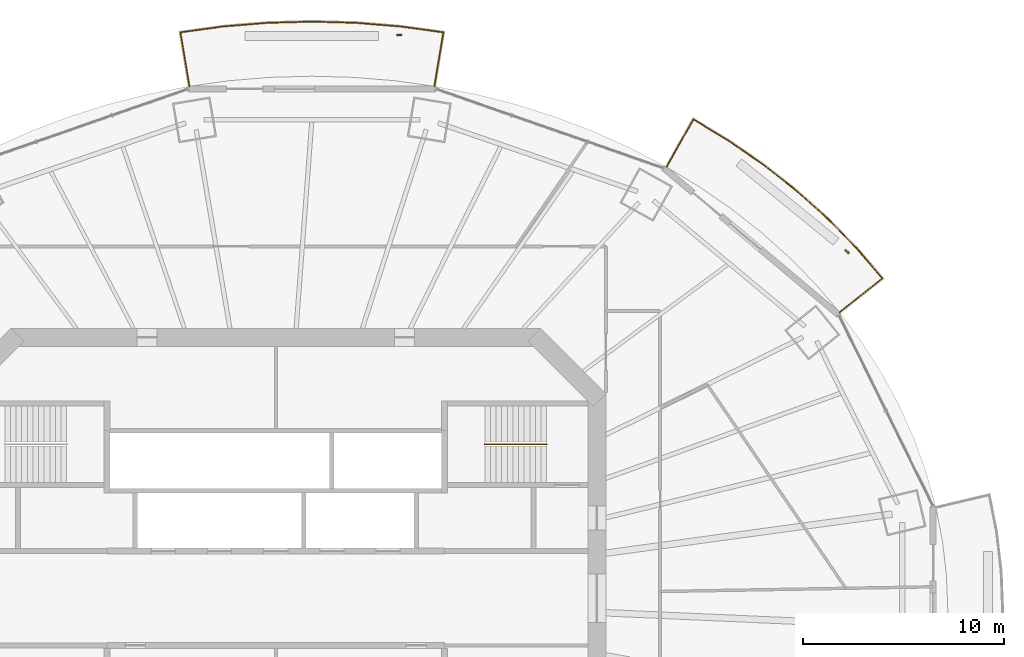
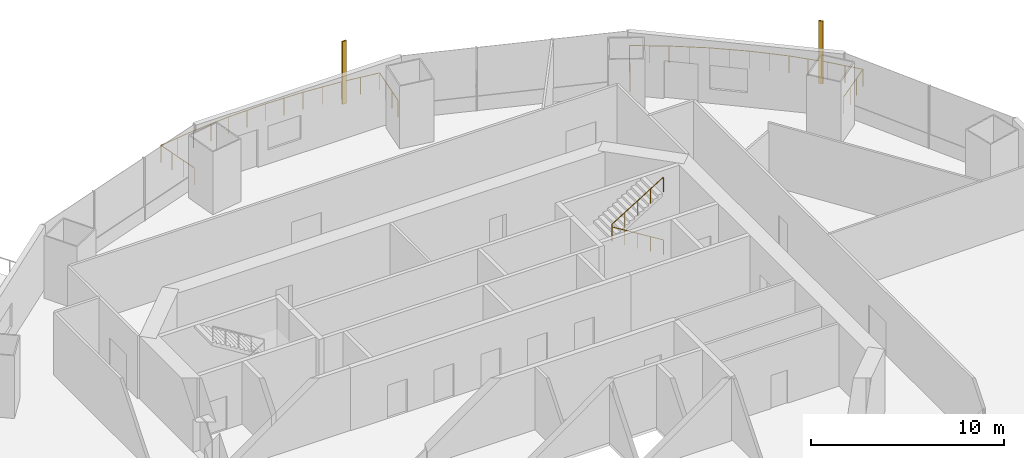
# One storey, part 19 of 21: 3 railings, 2 shading devices.
"""IFC4 building model written with IfcOpenShell, lengths in metres."""

from ifc_helpers import new_model, si_unit, direction, frame, origin, origin_2d, place, context, subcontext, project, spatial, rectangle, circle, extrude, material, material_profile, profile_set, type_object, element, save


model = new_model("IFC4")

# Units and contexts
model_context = context("Model", 3, precision=1e-05, world=origin(), true_north=direction((0.0, 1.0)))
body_context = subcontext(model_context, "Body", "Model", "MODEL_VIEW")
ifc_project = project(units=[si_unit("LENGTHUNIT", "METRE"), si_unit("AREAUNIT", "SQUARE_METRE"), si_unit("VOLUMEUNIT", "CUBIC_METRE"), si_unit("PLANEANGLEUNIT", "RADIAN"), si_unit("MASSUNIT", "GRAM", prefix="KILO")], contexts=[model_context])

# Site, building, storey
site_placement = place(None, origin())
site = spatial("IfcSite", under=ifc_project, at=site_placement, CompositionType="ELEMENT")
building_placement = place(site_placement, origin())
building = spatial("IfcBuilding", under=site, at=building_placement, Name="Marenthal Gate Tower", CompositionType="ELEMENT")
storey_placement = place(building_placement, frame((0.0, 0.0, 206.699951171875)))
storey = spatial("IfcBuildingStorey", under=building, at=storey_placement, Name="L45", CompositionType="ELEMENT", Elevation=206.699951171875)

# Railings
ifc_material_1 = material(Name="Stainless steel", Category="steel")
railing_type_1 = type_object("IfcRailingType", Name="Balcony guard 1100", PredefinedType="GUARDRAIL", material=ifc_material_1)
railing_1_placement = place(storey_placement, frame((19.476806640625, 21.490478515625, 0.0)))
element("IfcRailing", 1, at=railing_1_placement, inside=storey, type_object=railing_type_1, Name="Balcony guard L45 bay 2", PredefinedType="GUARDRAIL", context=body_context, shape_type="SweptSolid", body=[
    extrude(circle(Radius=0.02392578125, at=origin_2d()), frame((0.0, 0.0, 1.076171875), z_axis=(0.489654113359, 0.871792532473, -0.014718342117), x_axis=(-0.871886975849, 0.489707158764, 0.0)), (0.0, 0.0, 1.0), 2.720458984375),
    extrude(circle(Radius=0.02392578125, at=origin_2d()), frame((1.33203125, 2.37158203125, 1.0361328125), z_axis=(0.856189474473, -0.516661962797, 0.0), x_axis=(0.516661962797, 0.856189474473, 0.0)), (0.0, 0.0, 1.0), 2.0537109375),
    extrude(circle(Radius=0.02392578125, at=origin_2d()), frame((3.09033203125, 1.310546875, 1.0361328125), z_axis=(0.823307575665, -0.56759548611, 0.0), x_axis=(0.56759548611, 0.823307575665, 0.0)), (0.0, 0.0, 1.0), 2.11669921875),
    extrude(circle(Radius=0.02392578125, at=origin_2d()), frame((4.8330078125, 0.109130859375, 1.0361328125), z_axis=(0.785971142181, -0.618263183166, 0.0), x_axis=(0.618263183166, 0.785971142181, 0.0)), (0.0, 0.0, 1.0), 2.09912109375),
    extrude(circle(Radius=0.02392578125, at=origin_2d()), frame((6.48291015625, -1.188720703125, 1.0361328125), z_axis=(0.744529235913, -0.667589856776, 0.0), x_axis=(0.667589856776, 0.744529235913, 0.0)), (0.0, 0.0, 1.0), 2.08154296875),
    extrude(circle(Radius=0.02392578125, at=origin_2d()), frame((8.03271484375, -2.578369140625, 1.0361328125), z_axis=(0.698897192243, -0.715222143585, 0.0), x_axis=(0.715222143585, 0.698897192243, 0.0)), (0.0, 0.0, 1.0), 2.063720703125),
    extrude(circle(Radius=0.02392578125, at=origin_2d()), frame((9.47509765625, -4.054443359375, 1.0361328125), z_axis=(0.650106163754, -0.759843389028, 0.0), x_axis=(0.759843389028, 0.650106163754, 0.0)), (0.0, 0.0, 1.0), 1.966796875),
    extrude(circle(Radius=0.02392578125, at=origin_2d()), frame((10.753662109375, -5.548828125, 1.0361328125), z_axis=(-0.782732861269, -0.622183779773, 0.01471774699), x_axis=(0.622251176983, -0.782817649739, 0.0)), (0.0, 0.0, 1.0), 2.720458984375),
    extrude(circle(Radius=0.02099609375, at=origin_2d()), origin(), (0.0, 0.0, 1.0), 1.052001953125),
    extrude(circle(Radius=0.02099609375, at=origin_2d()), frame((0.444091796875, 0.79052734375, -0.013427734375)), (0.0, 0.0, 1.0), 1.052001953125),
    extrude(circle(Radius=0.02099609375, at=origin_2d()), frame((0.887939453125, 1.5810546875, -0.026611328125)), (0.0, 0.0, 1.0), 1.052001953125),
    extrude(circle(Radius=0.02099609375, at=origin_2d()), frame((1.33203125, 2.37158203125, -0.0400390625)), (0.0, 0.0, 1.0), 1.052001953125),
    extrude(circle(Radius=0.02099609375, at=origin_2d()), frame((2.211181640625, 1.841064453125, -0.0400390625)), (0.0, 0.0, 1.0), 1.052001953125),
    extrude(circle(Radius=0.02099609375, at=origin_2d()), frame((3.09033203125, 1.310546875, -0.0400390625)), (0.0, 0.0, 1.0), 1.052001953125),
    extrude(circle(Radius=0.02099609375, at=origin_2d()), frame((3.961669921875, 0.7099609375, -0.0400390625)), (0.0, 0.0, 1.0), 1.052001953125),
    extrude(circle(Radius=0.02099609375, at=origin_2d()), frame((4.8330078125, 0.109130859375, -0.0400390625)), (0.0, 0.0, 1.0), 1.052001953125),
    extrude(circle(Radius=0.02099609375, at=origin_2d()), frame((5.657958984375, -0.539794921875, -0.0400390625)), (0.0, 0.0, 1.0), 1.052001953125),
    extrude(circle(Radius=0.02099609375, at=origin_2d()), frame((6.48291015625, -1.188720703125, -0.0400390625)), (0.0, 0.0, 1.0), 1.052001953125),
    extrude(circle(Radius=0.02099609375, at=origin_2d()), frame((7.2578125, -1.883544921875, -0.0400390625)), (0.0, 0.0, 1.0), 1.052001953125),
    extrude(circle(Radius=0.02099609375, at=origin_2d()), frame((8.03271484375, -2.578369140625, -0.0400390625)), (0.0, 0.0, 1.0), 1.052001953125),
    extrude(circle(Radius=0.02099609375, at=origin_2d()), frame((8.75390625, -3.31640625, -0.0400390625)), (0.0, 0.0, 1.0), 1.052001953125),
    extrude(circle(Radius=0.02099609375, at=origin_2d()), frame((9.47509765625, -4.054443359375, -0.0400390625)), (0.0, 0.0, 1.0), 1.052001953125),
    extrude(circle(Radius=0.02099609375, at=origin_2d()), frame((10.1142578125, -4.8017578125, -0.0400390625)), (0.0, 0.0, 1.0), 1.052001953125),
    extrude(circle(Radius=0.02099609375, at=origin_2d()), frame((10.753662109375, -5.548828125, -0.0400390625)), (0.0, 0.0, 1.0), 1.052001953125),
    extrude(circle(Radius=0.02099609375, at=origin_2d()), frame((10.0439453125, -6.113037109375, -0.026611328125)), (0.0, 0.0, 1.0), 1.052001953125),
    extrude(circle(Radius=0.02099609375, at=origin_2d()), frame((9.333984375, -6.67724609375, -0.013427734375)), (0.0, 0.0, 1.0), 1.052001953125),
    extrude(circle(Radius=0.02099609375, at=origin_2d()), frame((8.624267578125, -7.241455078125, 0.0)), (0.0, 0.0, 1.0), 1.052001953125),
])
railing_2_placement = place(storey_placement, frame((-4.303955078125, 25.516845703125, 0.0)))
element("IfcRailing", 2, at=railing_2_placement, inside=storey, type_object=railing_type_1, Name="Balcony guard L45 bay 4", PredefinedType="GUARDRAIL", context=body_context, shape_type="SweptSolid", body=[
    extrude(circle(Radius=0.02392578125, at=origin_2d()), frame((0.0, 0.0, 1.076171875), z_axis=(-0.164876009703, 0.98620446087, -0.014719469565), x_axis=(-0.986311315136, -0.164893873854, 0.0)), (0.0, 0.0, 1.0), 2.72021484375),
    extrude(circle(Radius=0.02392578125, at=origin_2d()), frame((-0.448486328125, 2.6826171875, 1.0361328125), z_axis=(0.990665342735, 0.136316465269, 0.0), x_axis=(-0.136316465269, 0.990665342735, 0.0)), (0.0, 0.0, 1.0), 2.13671875),
    extrude(circle(Radius=0.02392578125, at=origin_2d()), frame((1.668212890625, 2.973876953125, 1.0361328125), z_axis=(0.996595612973, 0.082445037473, 0.0), x_axis=(-0.082445037473, 0.996595612973, 0.0)), (0.0, 0.0, 1.0), 2.220947265625),
    extrude(circle(Radius=0.02392578125, at=origin_2d()), frame((3.881591796875, 3.156982421875, 1.0361328125), z_axis=(0.999620072433, 0.027562851607, 0.0), x_axis=(-0.027562851607, 0.999620072433, 0.0)), (0.0, 0.0, 1.0), 2.22314453125),
    extrude(circle(Radius=0.02392578125, at=origin_2d()), frame((6.10400390625, 3.21826171875, 1.0361328125), z_axis=(0.999620072433, -0.027562851607, 0.0), x_axis=(0.027562851607, 0.999620072433, 0.0)), (0.0, 0.0, 1.0), 2.22314453125),
    extrude(circle(Radius=0.02392578125, at=origin_2d()), frame((8.326416015625, 3.156982421875, 1.0361328125), z_axis=(0.996595612973, -0.082445037473, 0.0), x_axis=(0.082445037473, 0.996595612973, 0.0)), (0.0, 0.0, 1.0), 2.220947265625),
    extrude(circle(Radius=0.02392578125, at=origin_2d()), frame((10.539794921875, 2.973876953125, 1.0361328125), z_axis=(0.990663219108, -0.136331897612, 0.0), x_axis=(0.136331897612, 0.990663219108, 0.0)), (0.0, 0.0, 1.0), 2.136474609375),
    extrude(circle(Radius=0.02392578125, at=origin_2d()), frame((12.65625, 2.6826171875, 1.0361328125), z_axis=(-0.164876009703, -0.98620446087, 0.014719469565), x_axis=(0.986311315136, -0.164893873854, 0.0)), (0.0, 0.0, 1.0), 2.72021484375),
    extrude(circle(Radius=0.02099609375, at=origin_2d()), origin(), (0.0, 0.0, 1.0), 1.052001953125),
    extrude(circle(Radius=0.02099609375, at=origin_2d()), frame((-0.1494140625, 0.894287109375, -0.013427734375)), (0.0, 0.0, 1.0), 1.052001953125),
    extrude(circle(Radius=0.02099609375, at=origin_2d()), frame((-0.299072265625, 1.788330078125, -0.026611328125)), (0.0, 0.0, 1.0), 1.052001953125),
    extrude(circle(Radius=0.02099609375, at=origin_2d()), frame((-0.448486328125, 2.6826171875, -0.0400390625)), (0.0, 0.0, 1.0), 1.052001953125),
    extrude(circle(Radius=0.02099609375, at=origin_2d()), frame((0.60986328125, 2.828125, -0.0400390625)), (0.0, 0.0, 1.0), 1.052001953125),
    extrude(circle(Radius=0.02099609375, at=origin_2d()), frame((1.668212890625, 2.973876953125, -0.0400390625)), (0.0, 0.0, 1.0), 1.052001953125),
    extrude(circle(Radius=0.02099609375, at=origin_2d()), frame((2.77490234375, 3.0654296875, -0.0400390625)), (0.0, 0.0, 1.0), 1.052001953125),
    extrude(circle(Radius=0.02099609375, at=origin_2d()), frame((3.881591796875, 3.156982421875, -0.0400390625)), (0.0, 0.0, 1.0), 1.052001953125),
    extrude(circle(Radius=0.02099609375, at=origin_2d()), frame((4.99267578125, 3.1875, -0.0400390625)), (0.0, 0.0, 1.0), 1.052001953125),
    extrude(circle(Radius=0.02099609375, at=origin_2d()), frame((6.10400390625, 3.21826171875, -0.0400390625)), (0.0, 0.0, 1.0), 1.052001953125),
    extrude(circle(Radius=0.02099609375, at=origin_2d()), frame((7.21533203125, 3.1875, -0.0400390625)), (0.0, 0.0, 1.0), 1.052001953125),
    extrude(circle(Radius=0.02099609375, at=origin_2d()), frame((8.326416015625, 3.156982421875, -0.0400390625)), (0.0, 0.0, 1.0), 1.052001953125),
    extrude(circle(Radius=0.02099609375, at=origin_2d()), frame((9.43310546875, 3.0654296875, -0.0400390625)), (0.0, 0.0, 1.0), 1.052001953125),
    extrude(circle(Radius=0.02099609375, at=origin_2d()), frame((10.539794921875, 2.973876953125, -0.0400390625)), (0.0, 0.0, 1.0), 1.052001953125),
    extrude(circle(Radius=0.02099609375, at=origin_2d()), frame((11.59814453125, 2.828125, -0.0400390625)), (0.0, 0.0, 1.0), 1.052001953125),
    extrude(circle(Radius=0.02099609375, at=origin_2d()), frame((12.65625, 2.6826171875, -0.0400390625)), (0.0, 0.0, 1.0), 1.052001953125),
    extrude(circle(Radius=0.02099609375, at=origin_2d()), frame((12.5068359375, 1.788330078125, -0.026611328125)), (0.0, 0.0, 1.0), 1.052001953125),
    extrude(circle(Radius=0.02099609375, at=origin_2d()), frame((12.357177734375, 0.894287109375, -0.013427734375)), (0.0, 0.0, 1.0), 1.052001953125),
    extrude(circle(Radius=0.02099609375, at=origin_2d()), frame((12.207763671875, 0.0, 0.0)), (0.0, 0.0, 1.0), 1.052001953125),
])
ifc_material_2 = material(Name="Stainless steel", Category="steel")
railing_type_2 = type_object("IfcRailingType", Name="Stair handrail", PredefinedType="HANDRAIL", material=ifc_material_2)
railing_3_placement = place(storey_placement, frame((13.5, 7.675048828125, 0.1728515625)))
element("IfcRailing", 3, at=railing_3_placement, inside=storey, type_object=railing_type_2, Name="Handrail ST3", PredefinedType="HANDRAIL", context=body_context, shape_type="SweptSolid", body=[
    extrude(circle(Radius=0.0224609375, at=origin_2d()), frame((0.0, 0.0, 0.927490234375), z_axis=(-0.850835241893, 0.0, 0.525432575268), x_axis=(0.0, -1.0, 0.0)), (0.0, 0.0, 1.0), 3.6201171875),
    extrude(circle(Radius=0.0224609375, at=origin_2d()), frame((-3.080078125, 0.0, 2.82958984375), z_axis=(0.0, 0.0, 1.0), x_axis=(1.0, 0.0, 0.0)), (0.0, 0.0, 1.0), 0.173095703125),
    extrude(circle(Radius=0.0224609375, at=origin_2d()), frame((-3.080078125, 0.0, 3.002685546875), z_axis=(0.850835241893, 0.0, 0.525432575268), x_axis=(0.0, 1.0, 0.0)), (0.0, 0.0, 1.0), 3.6201171875),
    extrude(circle(Radius=0.02001953125, at=origin_2d()), origin(), (0.0, 0.0, 1.0), 0.905029296875),
    extrude(circle(Radius=0.02001953125, at=origin_2d()), frame((-0.77001953125, 0.0, 0.4755859375)), (0.0, 0.0, 1.0), 0.905029296875),
    extrude(circle(Radius=0.02001953125, at=origin_2d()), frame((-1.5400390625, 0.0, 0.951171875)), (0.0, 0.0, 1.0), 0.905029296875),
    extrude(circle(Radius=0.02001953125, at=origin_2d()), frame((-2.31005859375, 0.0, 1.426513671875)), (0.0, 0.0, 1.0), 0.905029296875),
    extrude(circle(Radius=0.02001953125, at=origin_2d()), frame((-3.080078125, 0.0, 1.902099609375)), (0.0, 0.0, 1.0), 0.905029296875),
    extrude(circle(Radius=0.02001953125, at=origin_2d()), frame((-3.080078125, 0.0, 2.0751953125)), (0.0, 0.0, 1.0), 0.905029296875),
    extrude(circle(Radius=0.02001953125, at=origin_2d()), frame((-2.31005859375, 0.0, 2.55078125)), (0.0, 0.0, 1.0), 0.905029296875),
    extrude(circle(Radius=0.02001953125, at=origin_2d()), frame((-1.5400390625, 0.0, 3.0263671875)), (0.0, 0.0, 1.0), 0.905029296875),
    extrude(circle(Radius=0.02001953125, at=origin_2d()), frame((-0.77001953125, 0.0, 3.501708984375)), (0.0, 0.0, 1.0), 0.905029296875),
    extrude(circle(Radius=0.02001953125, at=origin_2d()), frame((0.0, 0.0, 3.977294921875)), (0.0, 0.0, 1.0), 0.905029296875),
])

# Shading devices
ifc_material_3 = material(Name="Terracotta", Category="masonry")
ifc_material_profile = material_profile(ifc_material_3, rectangle(XDim=0.25, YDim=0.080078125, at=origin_2d()), Name="Terracotta baguette 250x80")
ifc_profile_set = profile_set([ifc_material_profile], Name="Terracotta")
shading_device_type = type_object("IfcShadingDeviceType", Name="Terracotta BAGUETTE SCREEN 250x80", PredefinedType="USERDEFINED", material=ifc_profile_set)
for number, where, z_axis, x_axis, name in (
    (4, (28.47021484375, 17.267578125, -0.0400390625), (0.0, 0.0, 1.0), (-0.765704864788, 0.643192086425, 0.0), "Terracotta BAGUETTE L45 bay 2L"),
    (5, (6.14404296875, 28.06005859375, -0.0400390625), (0.0, 0.0, 1.0), (-1.0, 0.0, 0.0), "Terracotta BAGUETTE L45 bay 4L"),
):
    element("IfcShadingDevice", number, at=place(storey_placement, frame(where, z_axis=z_axis, x_axis=x_axis)), inside=storey, type_object=shading_device_type, Name=name, ObjectType="BAGUETTE SCREEN", PredefinedType="USERDEFINED", context=body_context, shape_type="SweptSolid", body=[
        extrude(rectangle(XDim=0.25, YDim=0.080078125, at=origin_2d()), origin(), (0.0, 0.0, 1.0), 3.969970703125),
    ])

save(model, "model.ifc")
